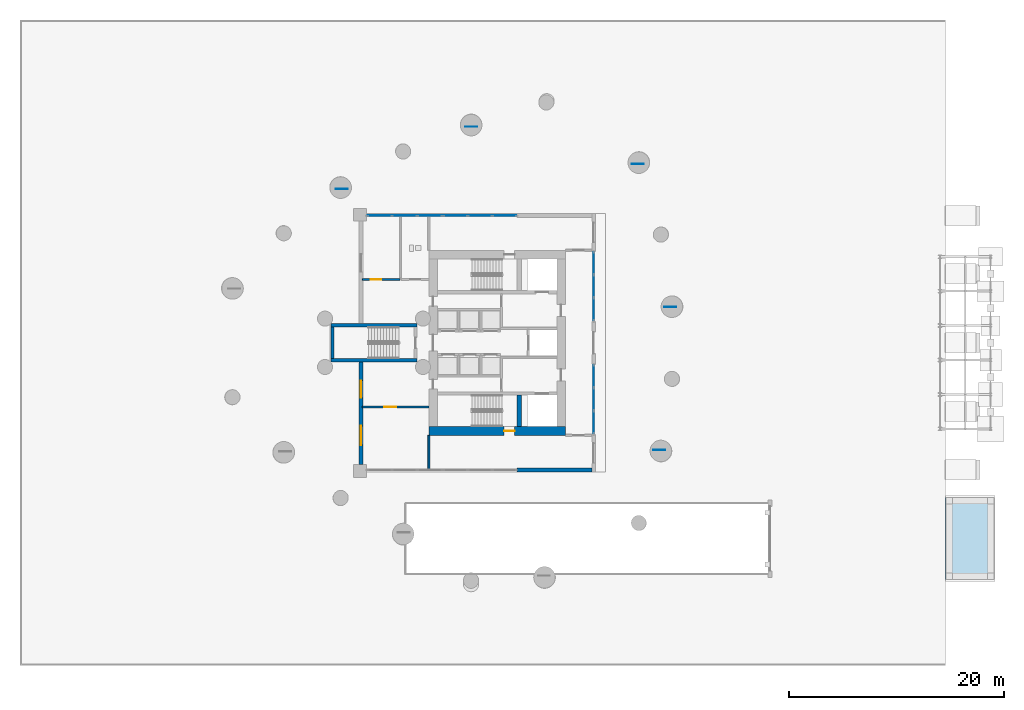
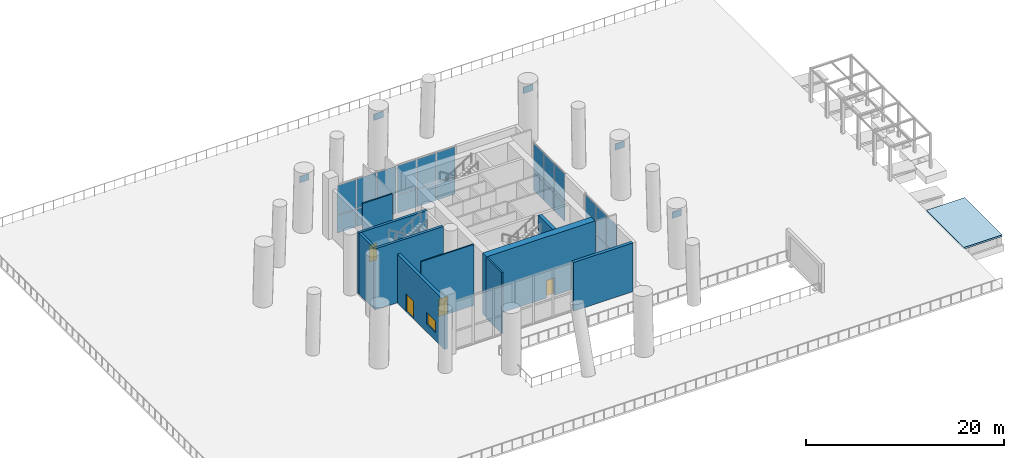
# One storey, part 7 of 16: 29 plates, 10 walls, 4 doors, 1 slab, 1 window, 5 openings, 4 elements without a shape of their own.
"""IFC4 building model written with IfcOpenShell, lengths in metres."""

from ifc_helpers import new_model, si_unit, direction, frame, frame_2d, origin, origin_2d, place, context, subcontext, project, spatial, polyline, rectangle, outline, extrude, source, transform, mapped, material, layer, layer_set, type_object, element, fill, aggregate, save


model = new_model("IFC4")

# Units and contexts
model_context = context("Model", 3, precision=1e-05, world=origin(), true_north=direction((0.0, 1.0)))
body_context = subcontext(model_context, "Body", "Model", "MODEL_VIEW")
ifc_project = project(units=[si_unit("LENGTHUNIT", "METRE"), si_unit("AREAUNIT", "SQUARE_METRE"), si_unit("VOLUMEUNIT", "CUBIC_METRE"), si_unit("PLANEANGLEUNIT", "RADIAN"), si_unit("MASSUNIT", "GRAM", prefix="KILO")], contexts=[model_context])

# Site, building, storey
site_placement = place(None, origin())
site = spatial("IfcSite", under=ifc_project, at=site_placement, CompositionType="ELEMENT")
building_placement = place(site_placement, origin())
building = spatial("IfcBuilding", under=site, at=building_placement, Name="Qafzar Sky-Pleat Residences", CompositionType="ELEMENT")
storey_placement = place(building_placement, origin())
storey = spatial("IfcBuildingStorey", under=building, at=storey_placement, Name="L00", CompositionType="ELEMENT", Elevation=0.0)

# Slab
ifc_material_1 = material(Name="Concrete C40/50", Category="concrete")
ifc_layer_1 = layer(ifc_material_1, 0.215087890625)
ifc_layer_set_1 = layer_set([ifc_layer_1], Name="Concrete C40/50")
slab_type = type_object("IfcSlabType", Name="SLAB-PAV-215", PredefinedType="USERDEFINED", material=ifc_layer_set_1)
slab_placement = place(storey_placement, frame((0.0, 0.0, -0.215087890625)))
element("IfcSlab", 1, at=slab_placement, inside=storey, type_object=slab_type, Name="L00 External Vehicle Ramp Driveway Apron", ObjectType="PAVING", PredefinedType="USERDEFINED", context=body_context, shape_type="SweptSolid", body=[
    extrude(outline(polyline([(72.02001953125, 4.0), (76.5, 4.0), (76.5, 11.60009765625), (72.02001953125, 11.60009765625), (72.02001953125, 4.0)])), origin(), (0.0, 0.0, 1.0), 0.215087890625),
])

# Plates
ifc_material_2 = material(Name="Steel S355", Category="steel")
ifc_layer_2 = layer(ifc_material_2, 0.0400390625)
ifc_layer_set_2 = layer_set([ifc_layer_2], Name="Steel S355")
plate_type_1 = type_object("IfcPlateType", Name="PLT-NODE-KN1", PredefinedType="SHEET", material=ifc_layer_set_2)
shared_shape_1 = source(origin(), body_context, "Body", "SweptSolid", [
    extrude(rectangle(XDim=1.10009765625, YDim=0.0400390625, at=origin_2d()), origin(), (0.0, 0.0, 1.0), 0.800048828125),
])
for number, where, z_axis, x_axis, name in (
    (2, (45.421875, 16.0234375, 5.7998046875), (0.0, 0.0, 1.0), (1.0, 0.0, 0.0), "L00 Pilotis Transfer Node Plate 5"),
    (3, (46.432861328125, 29.325439453125, 5.7998046875), (0.0, 0.0, 1.0), (1.0, 0.0, 0.0), "L00 Pilotis Transfer Node Plate 6"),
    (4, (43.39990234375, 42.627685546875, 5.7998046875), (0.0, 0.0, 1.0), (1.0, 0.0, 0.0), "L00 Pilotis Transfer Node Plate 7"),
    (5, (27.928955078125, 46.076171875, 5.7998046875), (0.0, 0.0, 1.0), (1.0, 0.0, 0.0), "L00 Pilotis Transfer Node Plate 8"),
    (6, (15.903564453125, 40.300537109375, 5.7998046875), (0.0, 0.0, 1.0), (1.0, 0.0, 0.0), "L00 Pilotis Transfer Node Plate 9"),
):
    element("IfcPlate", number, at=place(storey_placement, frame(where, z_axis=z_axis, x_axis=x_axis)), inside=storey, type_object=plate_type_1, Name=name, PredefinedType="SHEET", context=body_context, shape_type="MappedRepresentation", body=[
        mapped(shared_shape_1, transform((0.0, 0.0, 0.0), x_axis=(1.0, 0.0, 0.0), y_axis=(0.0, 1.0, 0.0), z_axis=(0.0, 0.0, 1.0), scale=1.0)),
    ])

# Curtain wall, plates
ifc_material_3 = material(Name="Anodised bronze aluminium framing", Category="aluminium")
ifc_layer_3 = layer(ifc_material_3, 0.260009765625)
ifc_layer_set_3 = layer_set([ifc_layer_3], Name="Anodised bronze aluminium framing")
curtain_wall_type = type_object("IfcCurtainWallType", Name="CW-SYS-01", PredefinedType="NOTDEFINED", material=ifc_layer_set_3)
curtain_wall_1_placement = place(storey_placement, origin())
curtain_wall_1 = element("IfcCurtainWall", 7, at=curtain_wall_1_placement, inside=storey, type_object=curtain_wall_type, Name="L00 CW-01 Curtain Wall CW-L00-01", PredefinedType="NOTDEFINED")
ifc_material_4 = material(Name="Solar-control double low-E glazing", Category="glass")
ifc_layer_4 = layer(ifc_material_4, 0.033935546875)
ifc_layer_set_4 = layer_set([ifc_layer_4], Name="Solar-control double low-E glazing")
plate_type_2 = type_object("IfcPlateType", Name="CWP-01", PredefinedType="CURTAIN_PANEL", material=ifc_layer_set_4)
shared_shape_2 = source(origin(), body_context, "Body", "SweptSolid", [
    extrude(rectangle(XDim=2.033447265625, YDim=0.033935546875, at=origin_2d()), origin(), (0.0, 0.0, 1.0), 2.16748046875),
])
plate_1_placement = place(storey_placement, frame((39.320068359375, 33.38330078125, 0.080078125), z_axis=(0.0, 0.0, 1.0), x_axis=(0.0, -1.0, 0.0)))
plate_1 = element("IfcPlate", 8, at=plate_1_placement, type_object=plate_type_2, Name="CW-01 panel 1.1", PredefinedType="CURTAIN_PANEL", context=body_context, shape_type="MappedRepresentation", body=[
    mapped(shared_shape_2, transform((0.0, 0.0, 0.0), x_axis=(1.0, 0.0, 0.0), y_axis=(0.0, 1.0, 0.0), z_axis=(0.0, 0.0, 1.0), scale=1.0)),
])
plate_2_placement = place(storey_placement, frame((39.320068359375, 29.11669921875, 0.080078125), z_axis=(0.0, 0.0, 1.0), x_axis=(0.0, -1.0, 0.0)))
plate_2 = element("IfcPlate", 9, at=plate_2_placement, type_object=plate_type_2, Name="CW-01 panel 3.1", PredefinedType="CURTAIN_PANEL", context=body_context, shape_type="MappedRepresentation", body=[
    mapped(shared_shape_2, transform((0.0, 0.0, 0.0), x_axis=(1.0, 0.0, 0.0), y_axis=(0.0, 1.0, 0.0), z_axis=(0.0, 0.0, 1.0), scale=1.0)),
])

curtain_wall_2_placement = place(storey_placement, origin())
curtain_wall_2 = element("IfcCurtainWall", 10, at=curtain_wall_2_placement, inside=storey, type_object=curtain_wall_type, Name="L00 CW-01 Curtain Wall CW-L00-02", PredefinedType="NOTDEFINED")
plate_3_placement = place(storey_placement, frame((39.320068359375, 22.88330078125, 0.080078125), z_axis=(0.0, 0.0, 1.0), x_axis=(0.0, -1.0, 0.0)))
plate_3 = element("IfcPlate", 11, at=plate_3_placement, type_object=plate_type_2, Name="CW-01 panel 1.1", PredefinedType="CURTAIN_PANEL", context=body_context, shape_type="MappedRepresentation", body=[
    mapped(shared_shape_2, transform((0.0, 0.0, 0.0), x_axis=(1.0, 0.0, 0.0), y_axis=(0.0, 1.0, 0.0), z_axis=(0.0, 0.0, 1.0), scale=1.0)),
])
plate_4_placement = place(storey_placement, frame((39.320068359375, 18.61669921875, 0.080078125), z_axis=(0.0, 0.0, 1.0), x_axis=(0.0, -1.0, 0.0)))
plate_4 = element("IfcPlate", 12, at=plate_4_placement, type_object=plate_type_2, Name="CW-01 panel 3.1", PredefinedType="CURTAIN_PANEL", context=body_context, shape_type="MappedRepresentation", body=[
    mapped(shared_shape_2, transform((0.0, 0.0, 0.0), x_axis=(1.0, 0.0, 0.0), y_axis=(0.0, 1.0, 0.0), z_axis=(0.0, 0.0, 1.0), scale=1.0)),
])

# Plate
shared_shape_3 = source(origin(), body_context, "Body", "SweptSolid", [
    extrude(rectangle(XDim=2.033447265625, YDim=0.033935546875, at=origin_2d()), origin(), (0.0, 0.0, 1.0), 3.6123046875),
])
plate_5_placement = place(storey_placement, frame((39.320068359375, 33.38330078125, 2.32763671875), z_axis=(0.0, 0.0, 1.0), x_axis=(0.0, -1.0, 0.0)))
plate_5 = element("IfcPlate", 13, at=plate_5_placement, type_object=plate_type_2, Name="CW-01 panel 1.2", PredefinedType="CURTAIN_PANEL", context=body_context, shape_type="MappedRepresentation", body=[
    mapped(shared_shape_3, transform((0.0, 0.0, 0.0), x_axis=(1.0, 0.0, 0.0), y_axis=(0.0, 1.0, 0.0), z_axis=(0.0, 0.0, 1.0), scale=1.0)),
])

plate_6_placement = place(storey_placement, frame((39.320068359375, 29.11669921875, 2.32763671875), z_axis=(0.0, 0.0, 1.0), x_axis=(0.0, -1.0, 0.0)))
plate_6 = element("IfcPlate", 14, at=plate_6_placement, type_object=plate_type_2, Name="CW-01 panel 3.2", PredefinedType="CURTAIN_PANEL", context=body_context, shape_type="MappedRepresentation", body=[
    mapped(shared_shape_3, transform((0.0, 0.0, 0.0), x_axis=(1.0, 0.0, 0.0), y_axis=(0.0, 1.0, 0.0), z_axis=(0.0, 0.0, 1.0), scale=1.0)),
])

plate_7_placement = place(storey_placement, frame((39.320068359375, 22.88330078125, 2.32763671875), z_axis=(0.0, 0.0, 1.0), x_axis=(0.0, -1.0, 0.0)))
plate_7 = element("IfcPlate", 15, at=plate_7_placement, type_object=plate_type_2, Name="CW-01 panel 1.2", PredefinedType="CURTAIN_PANEL", context=body_context, shape_type="MappedRepresentation", body=[
    mapped(shared_shape_3, transform((0.0, 0.0, 0.0), x_axis=(1.0, 0.0, 0.0), y_axis=(0.0, 1.0, 0.0), z_axis=(0.0, 0.0, 1.0), scale=1.0)),
])

plate_8_placement = place(storey_placement, frame((39.320068359375, 18.61669921875, 2.32763671875), z_axis=(0.0, 0.0, 1.0), x_axis=(0.0, -1.0, 0.0)))
plate_8 = element("IfcPlate", 16, at=plate_8_placement, type_object=plate_type_2, Name="CW-01 panel 3.2", PredefinedType="CURTAIN_PANEL", context=body_context, shape_type="MappedRepresentation", body=[
    mapped(shared_shape_3, transform((0.0, 0.0, 0.0), x_axis=(1.0, 0.0, 0.0), y_axis=(0.0, 1.0, 0.0), z_axis=(0.0, 0.0, 1.0), scale=1.0)),
])

shared_shape_4 = source(origin(), body_context, "Body", "SweptSolid", [
    extrude(rectangle(XDim=2.0732421875, YDim=0.033935546875, at=origin_2d()), origin(), (0.0, 0.0, 1.0), 2.16748046875),
])
plate_9_placement = place(storey_placement, frame((39.320068359375, 31.25, 0.080078125), z_axis=(0.0, 0.0, 1.0), x_axis=(0.0, -1.0, 0.0)))
plate_9 = element("IfcPlate", 17, at=plate_9_placement, type_object=plate_type_2, Name="CW-01 panel 2.1", PredefinedType="CURTAIN_PANEL", context=body_context, shape_type="MappedRepresentation", body=[
    mapped(shared_shape_4, transform((0.0, 0.0, 0.0), x_axis=(1.0, 0.0, 0.0), y_axis=(0.0, 1.0, 0.0), z_axis=(0.0, 0.0, 1.0), scale=1.0)),
])

plate_10_placement = place(storey_placement, frame((39.320068359375, 20.75, 0.080078125), z_axis=(0.0, 0.0, 1.0), x_axis=(0.0, -1.0, 0.0)))
plate_10 = element("IfcPlate", 18, at=plate_10_placement, type_object=plate_type_2, Name="CW-01 panel 2.1", PredefinedType="CURTAIN_PANEL", context=body_context, shape_type="MappedRepresentation", body=[
    mapped(shared_shape_4, transform((0.0, 0.0, 0.0), x_axis=(1.0, 0.0, 0.0), y_axis=(0.0, 1.0, 0.0), z_axis=(0.0, 0.0, 1.0), scale=1.0)),
])

shared_shape_5 = source(origin(), body_context, "Body", "SweptSolid", [
    extrude(rectangle(XDim=2.0732421875, YDim=0.033935546875, at=origin_2d()), origin(), (0.0, 0.0, 1.0), 3.6123046875),
])
plate_11_placement = place(storey_placement, frame((39.320068359375, 31.25, 2.32763671875), z_axis=(0.0, 0.0, 1.0), x_axis=(0.0, -1.0, 0.0)))
plate_11 = element("IfcPlate", 19, at=plate_11_placement, type_object=plate_type_2, Name="CW-01 panel 2.2", PredefinedType="CURTAIN_PANEL", context=body_context, shape_type="MappedRepresentation", body=[
    mapped(shared_shape_5, transform((0.0, 0.0, 0.0), x_axis=(1.0, 0.0, 0.0), y_axis=(0.0, 1.0, 0.0), z_axis=(0.0, 0.0, 1.0), scale=1.0)),
])

aggregate(curtain_wall_1, [plate_1, plate_5, plate_9, plate_11, plate_2, plate_6])

plate_12_placement = place(storey_placement, frame((39.320068359375, 20.75, 2.32763671875), z_axis=(0.0, 0.0, 1.0), x_axis=(0.0, -1.0, 0.0)))
plate_12 = element("IfcPlate", 20, at=plate_12_placement, type_object=plate_type_2, Name="CW-01 panel 2.2", PredefinedType="CURTAIN_PANEL", context=body_context, shape_type="MappedRepresentation", body=[
    mapped(shared_shape_5, transform((0.0, 0.0, 0.0), x_axis=(1.0, 0.0, 0.0), y_axis=(0.0, 1.0, 0.0), z_axis=(0.0, 0.0, 1.0), scale=1.0)),
])

aggregate(curtain_wall_2, [plate_3, plate_7, plate_10, plate_12, plate_4, plate_8])

# Curtain wall, plates
curtain_wall_3_placement = place(storey_placement, origin())
curtain_wall_3 = element("IfcCurtainWall", 21, at=curtain_wall_3_placement, inside=storey, type_object=curtain_wall_type, Name="L00 CW-01 Curtain Wall CW-L00-03", PredefinedType="NOTDEFINED")
shared_shape_6 = source(origin(), body_context, "Body", "SweptSolid", [
    extrude(rectangle(XDim=2.2333984375, YDim=0.033935546875, at=origin_2d()), origin(), (0.0, 0.0, 1.0), 2.16748046875),
])
plate_13_placement = place(storey_placement, frame((19.416748046875, 37.820068359375, 0.080078125), z_axis=(0.0, 0.0, 1.0), x_axis=(1.0, 0.0, 0.0)))
plate_13 = element("IfcPlate", 22, at=plate_13_placement, type_object=plate_type_2, Name="CW-01 panel 1.1", PredefinedType="CURTAIN_PANEL", context=body_context, shape_type="MappedRepresentation", body=[
    mapped(shared_shape_6, transform((0.0, 0.0, 0.0), x_axis=(1.0, 0.0, 0.0), y_axis=(0.0, 1.0, 0.0), z_axis=(0.0, 0.0, 1.0), scale=1.0)),
])
plate_14_placement = place(storey_placement, frame((24.083251953125, 37.820068359375, 0.080078125), z_axis=(0.0, 0.0, 1.0), x_axis=(1.0, 0.0, 0.0)))
plate_14 = element("IfcPlate", 23, at=plate_14_placement, type_object=plate_type_2, Name="CW-01 panel 3.1", PredefinedType="CURTAIN_PANEL", context=body_context, shape_type="MappedRepresentation", body=[
    mapped(shared_shape_6, transform((0.0, 0.0, 0.0), x_axis=(1.0, 0.0, 0.0), y_axis=(0.0, 1.0, 0.0), z_axis=(0.0, 0.0, 1.0), scale=1.0)),
])
shared_shape_7 = source(origin(), body_context, "Body", "SweptSolid", [
    extrude(rectangle(XDim=2.2333984375, YDim=0.033935546875, at=origin_2d()), origin(), (0.0, 0.0, 1.0), 3.6123046875),
])
plate_15_placement = place(storey_placement, frame((19.416748046875, 37.820068359375, 2.32763671875), z_axis=(0.0, 0.0, 1.0), x_axis=(1.0, 0.0, 0.0)))
plate_15 = element("IfcPlate", 24, at=plate_15_placement, type_object=plate_type_2, Name="CW-01 panel 1.2", PredefinedType="CURTAIN_PANEL", context=body_context, shape_type="MappedRepresentation", body=[
    mapped(shared_shape_7, transform((0.0, 0.0, 0.0), x_axis=(1.0, 0.0, 0.0), y_axis=(0.0, 1.0, 0.0), z_axis=(0.0, 0.0, 1.0), scale=1.0)),
])
plate_16_placement = place(storey_placement, frame((24.083251953125, 37.820068359375, 2.32763671875), z_axis=(0.0, 0.0, 1.0), x_axis=(1.0, 0.0, 0.0)))
plate_16 = element("IfcPlate", 25, at=plate_16_placement, type_object=plate_type_2, Name="CW-01 panel 3.2", PredefinedType="CURTAIN_PANEL", context=body_context, shape_type="MappedRepresentation", body=[
    mapped(shared_shape_7, transform((0.0, 0.0, 0.0), x_axis=(1.0, 0.0, 0.0), y_axis=(0.0, 1.0, 0.0), z_axis=(0.0, 0.0, 1.0), scale=1.0)),
])
shared_shape_8 = source(origin(), body_context, "Body", "SweptSolid", [
    extrude(rectangle(XDim=2.2734375, YDim=0.033935546875, at=origin_2d()), origin(), (0.0, 0.0, 1.0), 2.16748046875),
])
plate_17_placement = place(storey_placement, frame((21.75, 37.820068359375, 0.080078125), z_axis=(0.0, 0.0, 1.0), x_axis=(1.0, 0.0, 0.0)))
plate_17 = element("IfcPlate", 26, at=plate_17_placement, type_object=plate_type_2, Name="CW-01 panel 2.1", PredefinedType="CURTAIN_PANEL", context=body_context, shape_type="MappedRepresentation", body=[
    mapped(shared_shape_8, transform((0.0, 0.0, 0.0), x_axis=(1.0, 0.0, 0.0), y_axis=(0.0, 1.0, 0.0), z_axis=(0.0, 0.0, 1.0), scale=1.0)),
])
shared_shape_9 = source(origin(), body_context, "Body", "SweptSolid", [
    extrude(rectangle(XDim=2.2734375, YDim=0.033935546875, at=origin_2d()), origin(), (0.0, 0.0, 1.0), 3.6123046875),
])
plate_18_placement = place(storey_placement, frame((21.75, 37.820068359375, 2.32763671875), z_axis=(0.0, 0.0, 1.0), x_axis=(1.0, 0.0, 0.0)))
plate_18 = element("IfcPlate", 27, at=plate_18_placement, type_object=plate_type_2, Name="CW-01 panel 2.2", PredefinedType="CURTAIN_PANEL", context=body_context, shape_type="MappedRepresentation", body=[
    mapped(shared_shape_9, transform((0.0, 0.0, 0.0), x_axis=(1.0, 0.0, 0.0), y_axis=(0.0, 1.0, 0.0), z_axis=(0.0, 0.0, 1.0), scale=1.0)),
])
aggregate(curtain_wall_3, [plate_13, plate_15, plate_17, plate_18, plate_14, plate_16])

curtain_wall_4_placement = place(storey_placement, origin())
curtain_wall_4 = element("IfcCurtainWall", 28, at=curtain_wall_4_placement, inside=storey, type_object=curtain_wall_type, Name="L00 CW-01 Curtain Wall CW-L00-04", PredefinedType="NOTDEFINED")
shared_shape_10 = source(origin(), body_context, "Body", "SweptSolid", [
    extrude(rectangle(XDim=2.166748046875, YDim=0.033935546875, at=origin_2d()), origin(), (0.0, 0.0, 1.0), 2.16748046875),
])
plate_19_placement = place(storey_placement, frame((26.4833984375, 37.820068359375, 0.080078125), z_axis=(0.0, 0.0, 1.0), x_axis=(1.0, 0.0, 0.0)))
plate_19 = element("IfcPlate", 29, at=plate_19_placement, type_object=plate_type_2, Name="CW-01 panel 1.1", PredefinedType="CURTAIN_PANEL", context=body_context, shape_type="MappedRepresentation", body=[
    mapped(shared_shape_10, transform((0.0, 0.0, 0.0), x_axis=(1.0, 0.0, 0.0), y_axis=(0.0, 1.0, 0.0), z_axis=(0.0, 0.0, 1.0), scale=1.0)),
])
plate_20_placement = place(storey_placement, frame((31.0166015625, 37.820068359375, 0.080078125), z_axis=(0.0, 0.0, 1.0), x_axis=(1.0, 0.0, 0.0)))
plate_20 = element("IfcPlate", 30, at=plate_20_placement, type_object=plate_type_2, Name="CW-01 panel 3.1", PredefinedType="CURTAIN_PANEL", context=body_context, shape_type="MappedRepresentation", body=[
    mapped(shared_shape_10, transform((0.0, 0.0, 0.0), x_axis=(1.0, 0.0, 0.0), y_axis=(0.0, 1.0, 0.0), z_axis=(0.0, 0.0, 1.0), scale=1.0)),
])
shared_shape_11 = source(origin(), body_context, "Body", "SweptSolid", [
    extrude(rectangle(XDim=2.166748046875, YDim=0.033935546875, at=origin_2d()), origin(), (0.0, 0.0, 1.0), 3.6123046875),
])
plate_21_placement = place(storey_placement, frame((26.4833984375, 37.820068359375, 2.32763671875), z_axis=(0.0, 0.0, 1.0), x_axis=(1.0, 0.0, 0.0)))
plate_21 = element("IfcPlate", 31, at=plate_21_placement, type_object=plate_type_2, Name="CW-01 panel 1.2", PredefinedType="CURTAIN_PANEL", context=body_context, shape_type="MappedRepresentation", body=[
    mapped(shared_shape_11, transform((0.0, 0.0, 0.0), x_axis=(1.0, 0.0, 0.0), y_axis=(0.0, 1.0, 0.0), z_axis=(0.0, 0.0, 1.0), scale=1.0)),
])
plate_22_placement = place(storey_placement, frame((31.0166015625, 37.820068359375, 2.32763671875), z_axis=(0.0, 0.0, 1.0), x_axis=(1.0, 0.0, 0.0)))
plate_22 = element("IfcPlate", 32, at=plate_22_placement, type_object=plate_type_2, Name="CW-01 panel 3.2", PredefinedType="CURTAIN_PANEL", context=body_context, shape_type="MappedRepresentation", body=[
    mapped(shared_shape_11, transform((0.0, 0.0, 0.0), x_axis=(1.0, 0.0, 0.0), y_axis=(0.0, 1.0, 0.0), z_axis=(0.0, 0.0, 1.0), scale=1.0)),
])
shared_shape_12 = source(origin(), body_context, "Body", "SweptSolid", [
    extrude(rectangle(XDim=2.206787109375, YDim=0.033935546875, at=origin_2d()), origin(), (0.0, 0.0, 1.0), 2.16748046875),
])
plate_23_placement = place(storey_placement, frame((28.75, 37.820068359375, 0.080078125), z_axis=(0.0, 0.0, 1.0), x_axis=(1.0, 0.0, 0.0)))
plate_23 = element("IfcPlate", 33, at=plate_23_placement, type_object=plate_type_2, Name="CW-01 panel 2.1", PredefinedType="CURTAIN_PANEL", context=body_context, shape_type="MappedRepresentation", body=[
    mapped(shared_shape_12, transform((0.0, 0.0, 0.0), x_axis=(1.0, 0.0, 0.0), y_axis=(0.0, 1.0, 0.0), z_axis=(0.0, 0.0, 1.0), scale=1.0)),
])
shared_shape_13 = source(origin(), body_context, "Body", "SweptSolid", [
    extrude(rectangle(XDim=2.206787109375, YDim=0.033935546875, at=origin_2d()), origin(), (0.0, 0.0, 1.0), 3.6123046875),
])
plate_24_placement = place(storey_placement, frame((28.75, 37.820068359375, 2.32763671875), z_axis=(0.0, 0.0, 1.0), x_axis=(1.0, 0.0, 0.0)))
plate_24 = element("IfcPlate", 34, at=plate_24_placement, type_object=plate_type_2, Name="CW-01 panel 2.2", PredefinedType="CURTAIN_PANEL", context=body_context, shape_type="MappedRepresentation", body=[
    mapped(shared_shape_13, transform((0.0, 0.0, 0.0), x_axis=(1.0, 0.0, 0.0), y_axis=(0.0, 1.0, 0.0), z_axis=(0.0, 0.0, 1.0), scale=1.0)),
])
aggregate(curtain_wall_4, [plate_19, plate_21, plate_23, plate_24, plate_20, plate_22])

# Wall, opening, door
ifc_material_5 = material(Name="Acoustic gypsum plasterboard partition", Category="gypsum")
ifc_layer_5 = layer(ifc_material_5, 0.159912109375)
ifc_layer_set_5 = layer_set([ifc_layer_5], Name="Acoustic gypsum plasterboard partition")
wall_type_1 = type_object("IfcWallType", Name="PART-COR-160", PredefinedType="PARTITIONING", material=ifc_layer_set_5)
wall_1_placement = place(storey_placement, frame((17.820068359375, 20.02490234375, 0.0), z_axis=(0.0, 0.0, 1.0), x_axis=(1.0, 0.0, 0.0)))
wall_1 = element("IfcWall", 35, at=wall_1_placement, inside=storey, type_object=wall_type_1, Name="L00 Partition Wall PART-L00-PW-001", PredefinedType="PARTITIONING", context=body_context, shape_type="SweptSolid", body=[
    extrude(rectangle(XDim=6.171875, YDim=0.159912109375, at=frame_2d((3.0859375, 0.0))), origin(), (0.0, 0.0, 1.0), 7.5400390625),
])
opening_1_placement = place(wall_1_placement, frame((2.0400390625, 0.0, 0.0)))
opening_1 = element("IfcOpeningElement", 36, at=opening_1_placement, cuts=wall_1, Name="Opening ID-02", PredefinedType="OPENING", context=body_context, shape_type="SweptSolid", body=[
    extrude(rectangle(XDim=1.10009765625, YDim=2.14990234375, at=frame_2d((0.550048828125, 1.074951171875))), frame((0.0, 0.08984375, 0.0), z_axis=(0.0, -1.0, 0.0), x_axis=(1.0, 0.0, 0.0)), (0.0, 0.0, 1.0), 0.179931640625),
])
ifc_material_6 = material(Name="Timber-faced fire door", Category="wood")
door_type_1 = type_object("IfcDoorType", Name="DR-FFL-1100", OperationType="NOTDEFINED", PredefinedType="DOOR", material=ifc_material_6)
shared_shape_14 = source(origin(), body_context, "Body", "SweptSolid", [
    extrude(rectangle(XDim=1.10009765625, YDim=2.14990234375, at=frame_2d((0.550048828125, 1.074951171875))), frame((0.0, 0.02490234375, 0.0), z_axis=(0.0, -1.0, 0.0), x_axis=(1.0, 0.0, 0.0)), (0.0, 0.0, 1.0), 0.050048828125),
])
door_1_placement = place(opening_1_placement, origin())
door_1 = element("IfcDoor", 37, at=door_1_placement, inside=storey, type_object=door_type_1, Name="L00 Fire Command Centre Door", OperationType="SINGLE_SWING_LEFT", OverallHeight=2.14990234375, OverallWidth=1.10009765625, PredefinedType="DOOR", context=body_context, shape_type="MappedRepresentation", body=[
    mapped(shared_shape_14, transform((0.0, 0.0, 0.0), x_axis=(1.0, 0.0, 0.0), y_axis=(0.0, 1.0, 0.0), z_axis=(0.0, 0.0, 1.0), scale=1.0)),
])
fill(opening_1, door_1)

wall_2_placement = place(storey_placement, frame((17.820068359375, 31.875, 0.0), z_axis=(0.0, 0.0, 1.0), x_axis=(1.0, 0.0, 0.0)))
wall_2 = element("IfcWall", 38, at=wall_2_placement, inside=storey, type_object=wall_type_1, Name="L00 Partition Wall PART-L00-PW-006", PredefinedType="PARTITIONING", context=body_context, shape_type="SweptSolid", body=[
    extrude(rectangle(XDim=3.47998046875, YDim=0.159912109375, at=frame_2d((1.739990234375, 0.0))), origin(), (0.0, 0.0, 1.0), 7.5400390625),
])
opening_2_placement = place(wall_2_placement, frame((0.7900390625, 0.0, 0.0)))
opening_2 = element("IfcOpeningElement", 39, at=opening_2_placement, cuts=wall_2, Name="Opening ID-06", PredefinedType="OPENING", context=body_context, shape_type="SweptSolid", body=[
    extrude(rectangle(XDim=0.9599609375, YDim=2.10009765625, at=frame_2d((0.47998046875, 1.050048828125))), frame((0.0, 0.08984375, 0.0), z_axis=(0.0, -1.0, 0.0), x_axis=(1.0, 0.0, 0.0)), (0.0, 0.0, 1.0), 0.179931640625),
])
door_type_2 = type_object("IfcDoorType", Name="DR-STD-960", OperationType="NOTDEFINED", PredefinedType="DOOR", material=ifc_material_6)
shared_shape_15 = source(origin(), body_context, "Body", "SweptSolid", [
    extrude(rectangle(XDim=0.9599609375, YDim=2.10009765625, at=frame_2d((0.47998046875, 1.050048828125))), frame((0.0, 0.02490234375, 0.0), z_axis=(0.0, -1.0, 0.0), x_axis=(1.0, 0.0, 0.0)), (0.0, 0.0, 1.0), 0.050048828125),
])
door_2_placement = place(opening_2_placement, origin())
door_2 = element("IfcDoor", 40, at=door_2_placement, inside=storey, type_object=door_type_2, Name="L00 Concierge and Mailroom Door", OperationType="SINGLE_SWING_RIGHT", OverallHeight=2.10009765625, OverallWidth=0.9599609375, PredefinedType="DOOR", context=body_context, shape_type="MappedRepresentation", body=[
    mapped(shared_shape_15, transform((0.0, 0.0, 0.0), x_axis=(1.0, 0.0, 0.0), y_axis=(0.0, 1.0, 0.0), z_axis=(0.0, 0.0, 1.0), scale=1.0)),
])
fill(opening_2, door_2)

# Walls
ifc_material_7 = material(Name="Concrete blockwork partition", Category="masonry")
ifc_layer_6 = layer(ifc_material_7, 0.179931640625)
ifc_layer_set_6 = layer_set([ifc_layer_6], Name="Concrete blockwork partition")
wall_type_2 = type_object("IfcWallType", Name="PART-SHAFT-180", PredefinedType="PARTITIONING", material=ifc_layer_set_6)
wall_3_placement = place(storey_placement, frame((24.0, 14.20703125, 0.0), z_axis=(0.0, 0.0, 1.0), x_axis=(0.0, 1.0, 0.0)))
element("IfcWall", 41, at=wall_3_placement, inside=storey, type_object=wall_type_2, Name="L00 Partition Wall PART-L00-PW-002", PredefinedType="PARTITIONING", context=body_context, shape_type="SweptSolid", body=[
    extrude(rectangle(XDim=3.18505859375, YDim=0.179931640625, at=frame_2d((1.592529296875, 0.0))), origin(), (0.0, 0.0, 1.0), 7.5400390625),
])
ifc_material_8 = material(Name="Precast concrete C40/50 with honed Riyadh limestone", Category="concrete")
ifc_layer_7 = layer(ifc_material_8, 0.35009765625)
ifc_layer_set_7 = layer_set([ifc_layer_7], Name="Precast concrete C40/50 with honed Riyadh limestone")
wall_type_3 = type_object("IfcWallType", Name="WALL-EXT-350", PredefinedType="SOLIDWALL", material=ifc_layer_set_7)
wall_4_placement = place(storey_placement, frame((39.139892578125, 14.179931640625, 0.0), z_axis=(0.0, 0.0, 1.0), x_axis=(-1.0, 0.0, 0.0)))
element("IfcWall", 42, at=wall_4_placement, inside=storey, type_object=wall_type_3, Name="L00 South-East Exterior Wall", PredefinedType="SOLIDWALL", context=body_context, shape_type="SweptSolid", body=[
    extrude(rectangle(XDim=6.93994140625, YDim=0.360107421875, at=frame_2d((3.469970703125, 0.0))), origin(), (0.0, 0.0, 1.0), 6.02001953125),
])

# Wall, openings, door, window
wall_5_placement = place(storey_placement, frame((17.679931640625, 14.679931640625, 0.0), z_axis=(0.0, 0.0, 1.0), x_axis=(0.0, 1.0, 0.0)))
wall_5 = element("IfcWall", 43, at=wall_5_placement, inside=storey, type_object=wall_type_3, Name="L00 West Exit and Fire Command Exterior Wall", PredefinedType="SOLIDWALL", context=body_context, shape_type="SweptSolid", body=[
    extrude(rectangle(XDim=9.530029296875, YDim=0.360107421875, at=frame_2d((4.76513671875, 0.0))), origin(), (0.0, 0.0, 1.0), 6.02001953125),
])
opening_3_placement = place(wall_5_placement, frame((6.199951171875, 0.0, 0.0)))
opening_3 = element("IfcOpeningElement", 44, at=opening_3_placement, cuts=wall_5, Name="Opening ED-03", PredefinedType="OPENING", context=body_context, shape_type="SweptSolid", body=[
    extrude(rectangle(XDim=1.60009765625, YDim=2.199951171875, at=frame_2d((0.800048828125, 1.10009765625))), frame((0.0, 0.18994140625, 0.0), z_axis=(0.0, -1.0, 0.0), x_axis=(1.0, 0.0, 0.0)), (0.0, 0.0, 1.0), 0.380126953125),
])
opening_4_placement = place(wall_5_placement, frame((1.800048828125, 0.0, 1.0)))
opening_4 = element("IfcOpeningElement", 45, at=opening_4_placement, cuts=wall_5, Name="Opening WN-01", PredefinedType="OPENING", context=body_context, shape_type="SweptSolid", body=[
    extrude(rectangle(XDim=1.800048828125, YDim=1.449951171875, at=frame_2d((0.89990234375, 0.72509765625))), frame((0.0, 0.18994140625, 0.0), z_axis=(0.0, -1.0, 0.0), x_axis=(1.0, 0.0, 0.0)), (0.0, 0.0, 1.0), 0.380126953125),
])
ifc_material_9 = material(Name="Powder-coated steel door", Category="steel")
door_type_3 = type_object("IfcDoorType", Name="DR-EXT-1600", OperationType="DOUBLE_DOOR_SINGLE_SWING", PredefinedType="DOOR", material=ifc_material_9)
shared_shape_16 = source(origin(), body_context, "Body", "SweptSolid", [
    extrude(rectangle(XDim=1.60009765625, YDim=2.199951171875, at=frame_2d((0.800048828125, 1.10009765625))), frame((0.0, 0.02490234375, 0.0), z_axis=(0.0, -1.0, 0.0), x_axis=(1.0, 0.0, 0.0)), (0.0, 0.0, 1.0), 0.050048828125),
])
door_3_placement = place(opening_3_placement, origin())
door_3 = element("IfcDoor", 46, at=door_3_placement, inside=storey, type_object=door_type_3, Name="L00 Final Exit Door ED-03 (Stair ST3)", OperationType="DOUBLE_DOOR_SINGLE_SWING", OverallHeight=2.199951171875, OverallWidth=1.60009765625, PredefinedType="DOOR", context=body_context, shape_type="MappedRepresentation", body=[
    mapped(shared_shape_16, transform((0.0, 0.0, 0.0), x_axis=(1.0, 0.0, 0.0), y_axis=(0.0, 1.0, 0.0), z_axis=(0.0, 0.0, 1.0), scale=1.0)),
])
fill(opening_3, door_3)
ifc_material_10 = material(Name="Solar-control low-E glass in bronze aluminium frame", Category="glass")
window_type = type_object("IfcWindowType", Name="WIN-01", PartitioningType="DOUBLE_PANEL_VERTICAL", PredefinedType="WINDOW", material=ifc_material_10)
shared_shape_17 = source(origin(), body_context, "Body", "SweptSolid", [
    extrude(rectangle(XDim=1.800048828125, YDim=1.449951171875, at=frame_2d((0.89990234375, 0.72509765625))), frame((0.0, 0.030029296875, 0.0), z_axis=(0.0, -1.0, 0.0), x_axis=(1.0, 0.0, 0.0)), (0.0, 0.0, 1.0), 0.06005859375),
])
window_placement = place(opening_4_placement, origin())
window = element("IfcWindow", 47, at=window_placement, inside=storey, type_object=window_type, Name="L00 Fire Command Centre Window", OverallHeight=1.449951171875, OverallWidth=1.800048828125, PartitioningType="SINGLE_PANEL", PredefinedType="WINDOW", context=body_context, shape_type="MappedRepresentation", body=[
    mapped(shared_shape_17, transform((0.0, 0.0, 0.0), x_axis=(1.0, 0.0, 0.0), y_axis=(0.0, 1.0, 0.0), z_axis=(0.0, 0.0, 1.0), scale=1.0)),
])
fill(opening_4, window)

# Walls
ifc_material_11 = material(Name="Concrete C60/75", Category="concrete")
ifc_layer_8 = layer(ifc_material_11, 0.300048828125)
ifc_layer_set_8 = layer_set([ifc_layer_8], Name="Concrete C60/75")
wall_type_4 = type_object("IfcWallType", Name="WALL-SHEAR-300", PredefinedType="SHEAR", material=ifc_layer_set_8)
for number, where, z_axis, x_axis, name in (
    (48, (14.89990234375, 24.375, 0.0), (0.0, 0.0, 1.0), (1.0, 0.0, 0.0), "L00 ST3 wall S"),
    (49, (22.89990234375, 27.625, 0.0), (0.0, 0.0, 1.0), (-1.0, 0.0, 0.0), "L00 ST3 wall N"),
):
    element("IfcWall", number, at=place(storey_placement, frame(where, z_axis=z_axis, x_axis=x_axis)), inside=storey, type_object=wall_type_4, Name=name, PredefinedType="SHEAR", context=body_context, shape_type="SweptSolid", body=[
        extrude(rectangle(XDim=8.0, YDim=0.300048828125, at=frame_2d((4.0, 0.0))), origin(), (0.0, 0.0, 1.0), 7.5400390625),
    ])
wall_6_placement = place(storey_placement, frame((15.050048828125, 27.47509765625, 0.0), z_axis=(0.0, 0.0, 1.0), x_axis=(0.0, -1.0, 0.0)))
element("IfcWall", 50, at=wall_6_placement, inside=storey, type_object=wall_type_4, Name="L00 ST3 wall W", PredefinedType="SHEAR", context=body_context, shape_type="SweptSolid", body=[
    extrude(rectangle(XDim=2.9501953125, YDim=0.300048828125, at=frame_2d((1.47509765625, 0.0))), origin(), (0.0, 0.0, 1.0), 7.5400390625),
])
ifc_layer_9 = layer(ifc_material_11, 0.39990234375)
ifc_layer_set_9 = layer_set([ifc_layer_9], Name="Concrete C60/75")
wall_type_5 = type_object("IfcWallType", Name="WALL-SHEAR-400", PredefinedType="SHEAR", material=ifc_layer_set_9)
wall_7_placement = place(storey_placement, frame((32.39990234375, 18.199951171875, 0.0), z_axis=(0.0, 0.0, 1.0), x_axis=(0.0, 1.0, 0.0)))
element("IfcWall", 51, at=wall_7_placement, inside=storey, type_object=wall_type_5, Name="L00 Stair ST1 East Dividing Wall", PredefinedType="SHEAR", context=body_context, shape_type="SweptSolid", body=[
    extrude(rectangle(XDim=2.949951171875, YDim=0.39990234375, at=frame_2d((1.47509765625, 0.0))), origin(), (0.0, 0.0, 1.0), 7.5400390625),
])

# Wall, opening, door
ifc_layer_10 = layer(ifc_material_11, 0.800048828125)
ifc_layer_set_10 = layer_set([ifc_layer_10], Name="Concrete C60/75")
wall_type_6 = type_object("IfcWallType", Name="WALL-SHEAR-800", PredefinedType="SHEAR", material=ifc_layer_set_10)
wall_8_placement = place(storey_placement, frame((24.0, 17.800048828125, 0.0), z_axis=(0.0, 0.0, 1.0), x_axis=(1.0, 0.0, 0.0)))
wall_8 = element("IfcWall", 52, at=wall_8_placement, inside=storey, type_object=wall_type_6, Name="L00 CORE wall S", PredefinedType="SHEAR", context=body_context, shape_type="SweptSolid", body=[
    extrude(rectangle(XDim=12.699951171875, YDim=0.800048828125, at=frame_2d((6.35009765625, 0.0))), origin(), (0.0, 0.0, 1.0), 7.5400390625),
])
opening_5_placement = place(wall_8_placement, frame((7.0, 0.0, 0.0)))
opening_5 = element("IfcOpeningElement", 53, at=opening_5_placement, cuts=wall_8, Name="Opening ID-01", PredefinedType="OPENING", context=body_context, shape_type="SweptSolid", body=[
    extrude(rectangle(XDim=0.97998046875, YDim=2.14990234375, at=frame_2d((0.489990234375, 1.074951171875))), frame((0.0, 0.41015625, 0.0), z_axis=(0.0, -1.0, 0.0), x_axis=(1.0, 0.0, 0.0)), (0.0, 0.0, 1.0), 0.820068359375),
])
door_type_4 = type_object("IfcDoorType", Name="DR-STAIR-980", OperationType="NOTDEFINED", PredefinedType="DOOR", material=ifc_material_6)
shared_shape_18 = source(origin(), body_context, "Body", "SweptSolid", [
    extrude(rectangle(XDim=0.97998046875, YDim=2.14990234375, at=frame_2d((0.489990234375, 1.074951171875))), frame((0.0, 0.02490234375, 0.0), z_axis=(0.0, -1.0, 0.0), x_axis=(1.0, 0.0, 0.0)), (0.0, 0.0, 1.0), 0.050048828125),
])
door_4_placement = place(opening_5_placement, origin())
door_4 = element("IfcDoor", 54, at=door_4_placement, inside=storey, type_object=door_type_4, Name="L00 Stair ST1 Exit Passage Door", OperationType="SINGLE_SWING_RIGHT", OverallHeight=2.14990234375, OverallWidth=0.97998046875, PredefinedType="DOOR", context=body_context, shape_type="MappedRepresentation", body=[
    mapped(shared_shape_18, transform((0.0, 0.0, 0.0), x_axis=(1.0, 0.0, 0.0), y_axis=(0.0, 1.0, 0.0), z_axis=(0.0, 0.0, 1.0), scale=1.0)),
])
fill(opening_5, door_4)

save(model, "model.ifc")
